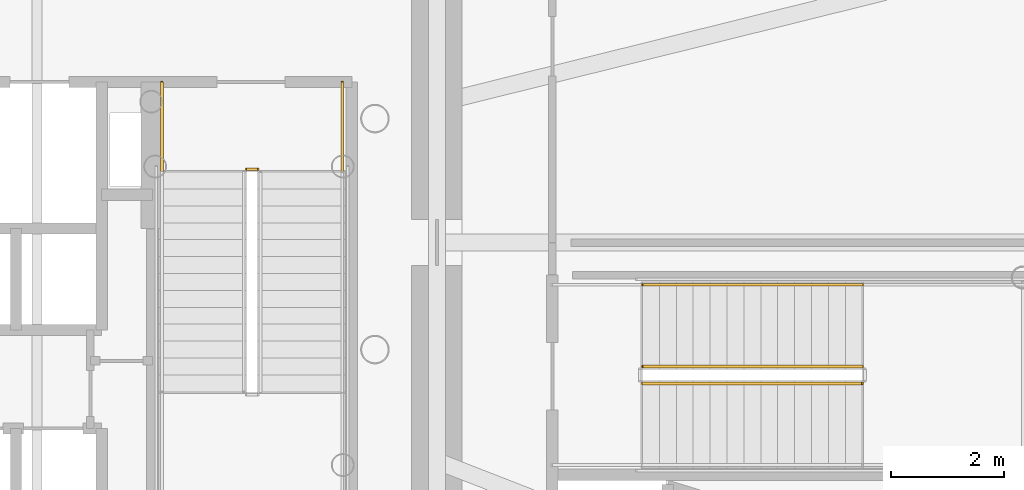
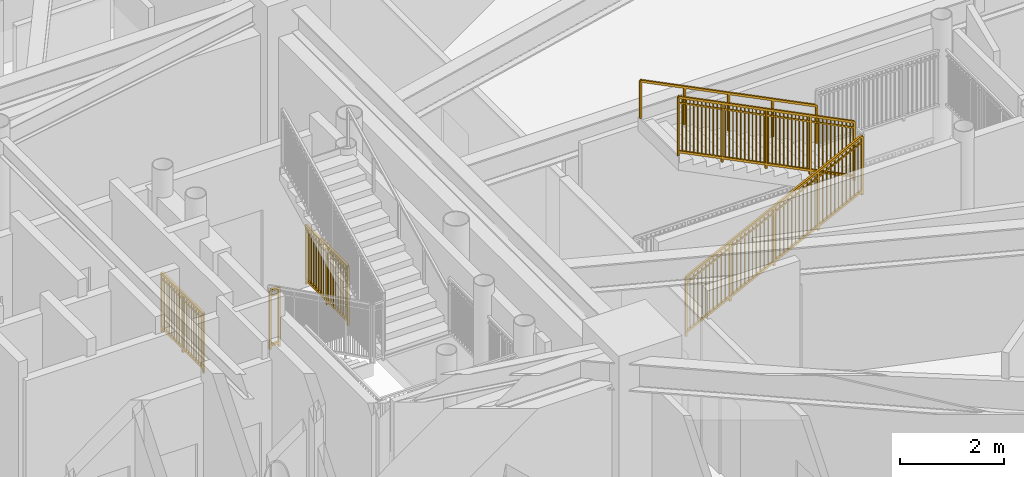
# One storey, part 33 of 35: 6 railings.
"""IFC4 building model written with IfcOpenShell, lengths in metres."""

from ifc_helpers import new_model, si_unit, direction, frame, origin, origin_2d, place, context, subcontext, project, spatial, rectangle, extrude, source, transform, mapped, material, type_object, element, save


model = new_model("IFC4")

# Units and contexts
model_context = context("Model", 3, precision=1e-05, world=origin(), true_north=direction((0.0, 1.0)))
body_context = subcontext(model_context, "Body", "Model", "MODEL_VIEW")
ifc_project = project(units=[si_unit("LENGTHUNIT", "METRE"), si_unit("AREAUNIT", "SQUARE_METRE"), si_unit("VOLUMEUNIT", "CUBIC_METRE"), si_unit("PLANEANGLEUNIT", "RADIAN"), si_unit("MASSUNIT", "GRAM", prefix="KILO")], contexts=[model_context])

# Site, building, storey
site_placement = place(None, origin())
site = spatial("IfcSite", under=ifc_project, at=site_placement, CompositionType="ELEMENT")
building_placement = place(site_placement, origin())
building = spatial("IfcBuilding", under=site, at=building_placement, Name="Linh Dai School and Residence Tower", CompositionType="ELEMENT")
storey_placement = place(building_placement, frame((0.0, 0.0, 49.199951171875)))
storey = spatial("IfcBuildingStorey", under=building, at=storey_placement, Name="L11", CompositionType="ELEMENT", Elevation=49.199951171875)

# Railings
ifc_material_1 = material(Name="Structural Steel S355JR", Category="steel")
railing_type_1 = type_object("IfcRailingType", Name="RL-ST-GUARD-1400", PredefinedType="GUARDRAIL", material=ifc_material_1)
shared_shape_1 = source(origin(), body_context, "Body", "SweptSolid", [
    extrude(rectangle(XDim=0.048095703125, YDim=0.048095703125, at=origin_2d()), frame((0.0, 0.0, 1.3759765625), z_axis=(1.0, 0.0, 0.0), x_axis=(0.0, 1.0, 0.0)), (0.0, 0.0, 1.0), 0.199951171875),
    extrude(rectangle(XDim=0.048095703125, YDim=0.048095703125, at=origin_2d()), frame((0.0, 0.0, 0.10009765625), z_axis=(1.0, 0.0, 0.0), x_axis=(0.0, 1.0, 0.0)), (0.0, 0.0, 1.0), 0.199951171875),
    extrude(rectangle(XDim=0.030029296875, YDim=0.030029296875, at=origin_2d()), frame((0.0, 0.0, 1.239990234375), z_axis=(1.0, 0.0, 0.0), x_axis=(0.0, 1.0, 0.0)), (0.0, 0.0, 1.0), 0.199951171875),
    extrude(rectangle(XDim=0.0419921875, YDim=0.0419921875, at=origin_2d()), origin(), (0.0, 0.0, 1.0), 1.3759765625),
    extrude(rectangle(XDim=0.0419921875, YDim=0.0419921875, at=origin_2d()), frame((0.199951171875, 0.0, 0.0)), (0.0, 0.0, 1.0), 1.3759765625),
])
railing_1_placement = place(storey_placement, frame((42.570068359375, 28.300048828125, 0.0)))
element("IfcRailing", 1, at=railing_1_placement, inside=storey, type_object=railing_type_1, Name="L11 ST2 stair guard 7", PredefinedType="GUARDRAIL", context=body_context, shape_type="MappedRepresentation", body=[
    mapped(shared_shape_1, transform((0.0, 0.0, 0.0), x_axis=(1.0, 0.0, 0.0), y_axis=(0.0, 1.0, 0.0), z_axis=(0.0, 0.0, 1.0), scale=1.0)),
])
shared_shape_2 = source(origin(), body_context, "Body", "SweptSolid", [
    extrude(rectangle(XDim=0.048095703125, YDim=0.048095703125, at=origin_2d()), frame((0.0, 0.0, 1.3759765625), z_axis=(0.0, -1.0, 0.0), x_axis=(1.0, 0.0, 0.0)), (0.0, 0.0, 1.0), 1.60009765625),
    extrude(rectangle(XDim=0.048095703125, YDim=0.048095703125, at=origin_2d()), frame((0.0, 0.0, 0.10009765625), z_axis=(0.0, -1.0, 0.0), x_axis=(1.0, 0.0, 0.0)), (0.0, 0.0, 1.0), 1.60009765625),
    extrude(rectangle(XDim=0.030029296875, YDim=0.030029296875, at=origin_2d()), frame((0.0, 0.0, 1.239990234375), z_axis=(0.0, -1.0, 0.0), x_axis=(1.0, 0.0, 0.0)), (0.0, 0.0, 1.0), 1.60009765625),
    extrude(rectangle(XDim=0.02001953125, YDim=0.02001953125, at=origin_2d()), frame((0.0, -0.09423828125, 0.10009765625)), (0.0, 0.0, 1.0), 1.251708984375),
    extrude(rectangle(XDim=0.02001953125, YDim=0.02001953125, at=origin_2d()), frame((0.0, -0.188232421875, 0.10009765625)), (0.0, 0.0, 1.0), 1.251708984375),
    extrude(rectangle(XDim=0.02001953125, YDim=0.02001953125, at=origin_2d()), frame((0.0, -0.282470703125, 0.10009765625)), (0.0, 0.0, 1.0), 1.251708984375),
    extrude(rectangle(XDim=0.02001953125, YDim=0.02001953125, at=origin_2d()), frame((0.0, -0.37646484375, 0.10009765625)), (0.0, 0.0, 1.0), 1.251708984375),
    extrude(rectangle(XDim=0.02001953125, YDim=0.02001953125, at=origin_2d()), frame((0.0, -0.470703125, 0.10009765625)), (0.0, 0.0, 1.0), 1.251708984375),
    extrude(rectangle(XDim=0.02001953125, YDim=0.02001953125, at=origin_2d()), frame((0.0, -0.564697265625, 0.10009765625)), (0.0, 0.0, 1.0), 1.251708984375),
    extrude(rectangle(XDim=0.02001953125, YDim=0.02001953125, at=origin_2d()), frame((0.0, -0.658935546875, 0.10009765625)), (0.0, 0.0, 1.0), 1.251708984375),
    extrude(rectangle(XDim=0.02001953125, YDim=0.02001953125, at=origin_2d()), frame((0.0, -0.7529296875, 0.10009765625)), (0.0, 0.0, 1.0), 1.251708984375),
    extrude(rectangle(XDim=0.02001953125, YDim=0.02001953125, at=origin_2d()), frame((0.0, -0.84716796875, 0.10009765625)), (0.0, 0.0, 1.0), 1.251708984375),
    extrude(rectangle(XDim=0.02001953125, YDim=0.02001953125, at=origin_2d()), frame((0.0, -0.941162109375, 0.10009765625)), (0.0, 0.0, 1.0), 1.251708984375),
    extrude(rectangle(XDim=0.02001953125, YDim=0.02001953125, at=origin_2d()), frame((0.0, -1.035400390625, 0.10009765625)), (0.0, 0.0, 1.0), 1.251708984375),
    extrude(rectangle(XDim=0.02001953125, YDim=0.02001953125, at=origin_2d()), frame((0.0, -1.12939453125, 0.10009765625)), (0.0, 0.0, 1.0), 1.251708984375),
    extrude(rectangle(XDim=0.02001953125, YDim=0.02001953125, at=origin_2d()), frame((0.0, -1.2236328125, 0.10009765625)), (0.0, 0.0, 1.0), 1.251708984375),
    extrude(rectangle(XDim=0.02001953125, YDim=0.02001953125, at=origin_2d()), frame((0.0, -1.317626953125, 0.10009765625)), (0.0, 0.0, 1.0), 1.251708984375),
    extrude(rectangle(XDim=0.02001953125, YDim=0.02001953125, at=origin_2d()), frame((0.0, -1.411865234375, 0.10009765625)), (0.0, 0.0, 1.0), 1.251708984375),
    extrude(rectangle(XDim=0.02001953125, YDim=0.02001953125, at=origin_2d()), frame((0.0, -1.505859375, 0.10009765625)), (0.0, 0.0, 1.0), 1.251708984375),
    extrude(rectangle(XDim=0.0419921875, YDim=0.0419921875, at=origin_2d()), origin(), (0.0, 0.0, 1.0), 1.3759765625),
    extrude(rectangle(XDim=0.0419921875, YDim=0.0419921875, at=origin_2d()), frame((0.0, -0.800048828125, 0.0)), (0.0, 0.0, 1.0), 1.3759765625),
    extrude(rectangle(XDim=0.0419921875, YDim=0.0419921875, at=origin_2d()), frame((0.0, -1.60009765625, 0.0)), (0.0, 0.0, 1.0), 1.3759765625),
])
for number, where, name in (
    (2, (41.070068359375, 29.85009765625, 0.0), "L11 ST2 stair guard 8"),
    (3, (44.27001953125, 29.85009765625, 0.0), "L11 ST2 stair guard 9"),
):
    element("IfcRailing", number, at=place(storey_placement, frame(where)), inside=storey, type_object=railing_type_1, Name=name, PredefinedType="GUARDRAIL", context=body_context, shape_type="MappedRepresentation", body=[
        mapped(shared_shape_2, transform((0.0, 0.0, 0.0), x_axis=(1.0, 0.0, 0.0), y_axis=(0.0, 1.0, 0.0), z_axis=(0.0, 0.0, 1.0), scale=1.0)),
    ])
shared_shape_3 = source(origin(), body_context, "Body", "SweptSolid", [
    extrude(rectangle(XDim=0.048095703125, YDim=0.048095703125, at=origin_2d()), frame((0.0, 0.0, 1.3759765625), z_axis=(0.894427191, 0.0, 0.4472135955), x_axis=(0.0, 1.0, 0.0)), (0.0, 0.0, 1.0), 4.360107421875),
    extrude(rectangle(XDim=0.048095703125, YDim=0.048095703125, at=origin_2d()), frame((0.0, 0.0, 0.10009765625), z_axis=(0.894427191, 0.0, 0.4472135955), x_axis=(0.0, 1.0, 0.0)), (0.0, 0.0, 1.0), 4.360107421875),
    extrude(rectangle(XDim=0.030029296875, YDim=0.030029296875, at=origin_2d()), frame((0.0, 0.0, 1.239990234375), z_axis=(0.894427191, 0.0, 0.4472135955), x_axis=(0.0, 1.0, 0.0)), (0.0, 0.0, 1.0), 4.360107421875),
    extrude(rectangle(XDim=0.02001953125, YDim=0.02001953125, at=origin_2d()), frame((0.086669921875, 0.0, 0.143310546875)), (0.0, 0.0, 1.0), 1.251708984375),
    extrude(rectangle(XDim=0.02001953125, YDim=0.02001953125, at=origin_2d()), frame((0.17333984375, 0.0, 0.186767578125)), (0.0, 0.0, 1.0), 1.251708984375),
    extrude(rectangle(XDim=0.02001953125, YDim=0.02001953125, at=origin_2d()), frame((0.260009765625, 0.0, 0.22998046875)), (0.0, 0.0, 1.0), 1.251708984375),
    extrude(rectangle(XDim=0.02001953125, YDim=0.02001953125, at=origin_2d()), frame((0.3466796875, 0.0, 0.2734375)), (0.0, 0.0, 1.0), 1.251708984375),
    extrude(rectangle(XDim=0.02001953125, YDim=0.02001953125, at=origin_2d()), frame((0.433349609375, 0.0, 0.316650390625)), (0.0, 0.0, 1.0), 1.251708984375),
    extrude(rectangle(XDim=0.02001953125, YDim=0.02001953125, at=origin_2d()), frame((0.52001953125, 0.0, 0.360107421875)), (0.0, 0.0, 1.0), 1.251708984375),
    extrude(rectangle(XDim=0.02001953125, YDim=0.02001953125, at=origin_2d()), frame((0.606689453125, 0.0, 0.4033203125)), (0.0, 0.0, 1.0), 1.251708984375),
    extrude(rectangle(XDim=0.02001953125, YDim=0.02001953125, at=origin_2d()), frame((0.693359375, 0.0, 0.44677734375)), (0.0, 0.0, 1.0), 1.251708984375),
    extrude(rectangle(XDim=0.02001953125, YDim=0.02001953125, at=origin_2d()), frame((0.780029296875, 0.0, 0.489990234375)), (0.0, 0.0, 1.0), 1.251708984375),
    extrude(rectangle(XDim=0.02001953125, YDim=0.02001953125, at=origin_2d()), frame((0.86669921875, 0.0, 0.533447265625)), (0.0, 0.0, 1.0), 1.251708984375),
    extrude(rectangle(XDim=0.02001953125, YDim=0.02001953125, at=origin_2d()), frame((1.0400390625, 0.0, 0.6201171875)), (0.0, 0.0, 1.0), 1.251708984375),
    extrude(rectangle(XDim=0.02001953125, YDim=0.02001953125, at=origin_2d()), frame((1.126708984375, 0.0, 0.663330078125)), (0.0, 0.0, 1.0), 1.251708984375),
    extrude(rectangle(XDim=0.02001953125, YDim=0.02001953125, at=origin_2d()), frame((1.21337890625, 0.0, 0.706787109375)), (0.0, 0.0, 1.0), 1.251708984375),
    extrude(rectangle(XDim=0.02001953125, YDim=0.02001953125, at=origin_2d()), frame((1.300048828125, 0.0, 0.75)), (0.0, 0.0, 1.0), 1.251708984375),
    extrude(rectangle(XDim=0.02001953125, YDim=0.02001953125, at=origin_2d()), frame((1.38671875, 0.0, 0.79345703125)), (0.0, 0.0, 1.0), 1.251708984375),
    extrude(rectangle(XDim=0.02001953125, YDim=0.02001953125, at=origin_2d()), frame((1.473388671875, 0.0, 0.836669921875)), (0.0, 0.0, 1.0), 1.251708984375),
    extrude(rectangle(XDim=0.02001953125, YDim=0.02001953125, at=origin_2d()), frame((1.56005859375, 0.0, 0.880126953125)), (0.0, 0.0, 1.0), 1.251708984375),
    extrude(rectangle(XDim=0.02001953125, YDim=0.02001953125, at=origin_2d()), frame((1.646728515625, 0.0, 0.92333984375)), (0.0, 0.0, 1.0), 1.251708984375),
    extrude(rectangle(XDim=0.02001953125, YDim=0.02001953125, at=origin_2d()), frame((1.7333984375, 0.0, 0.966796875)), (0.0, 0.0, 1.0), 1.251708984375),
    extrude(rectangle(XDim=0.02001953125, YDim=0.02001953125, at=origin_2d()), frame((1.820068359375, 0.0, 1.010009765625)), (0.0, 0.0, 1.0), 1.251708984375),
    extrude(rectangle(XDim=0.02001953125, YDim=0.02001953125, at=origin_2d()), frame((1.90673828125, 0.0, 1.053466796875)), (0.0, 0.0, 1.0), 1.251708984375),
    extrude(rectangle(XDim=0.02001953125, YDim=0.02001953125, at=origin_2d()), frame((1.9931640625, 0.0, 1.0966796875)), (0.0, 0.0, 1.0), 1.251708984375),
    extrude(rectangle(XDim=0.02001953125, YDim=0.02001953125, at=origin_2d()), frame((2.079833984375, 0.0, 1.14013671875)), (0.0, 0.0, 1.0), 1.251708984375),
    extrude(rectangle(XDim=0.02001953125, YDim=0.02001953125, at=origin_2d()), frame((2.16650390625, 0.0, 1.183349609375)), (0.0, 0.0, 1.0), 1.251708984375),
    extrude(rectangle(XDim=0.02001953125, YDim=0.02001953125, at=origin_2d()), frame((2.253173828125, 0.0, 1.226806640625)), (0.0, 0.0, 1.0), 1.251708984375),
    extrude(rectangle(XDim=0.02001953125, YDim=0.02001953125, at=origin_2d()), frame((2.33984375, 0.0, 1.27001953125)), (0.0, 0.0, 1.0), 1.251708984375),
    extrude(rectangle(XDim=0.02001953125, YDim=0.02001953125, at=origin_2d()), frame((2.426513671875, 0.0, 1.3134765625)), (0.0, 0.0, 1.0), 1.251708984375),
    extrude(rectangle(XDim=0.02001953125, YDim=0.02001953125, at=origin_2d()), frame((2.51318359375, 0.0, 1.356689453125)), (0.0, 0.0, 1.0), 1.251708984375),
    extrude(rectangle(XDim=0.02001953125, YDim=0.02001953125, at=origin_2d()), frame((2.599853515625, 0.0, 1.400146484375)), (0.0, 0.0, 1.0), 1.251708984375),
    extrude(rectangle(XDim=0.02001953125, YDim=0.02001953125, at=origin_2d()), frame((2.6865234375, 0.0, 1.443359375)), (0.0, 0.0, 1.0), 1.251708984375),
    extrude(rectangle(XDim=0.02001953125, YDim=0.02001953125, at=origin_2d()), frame((2.773193359375, 0.0, 1.48681640625)), (0.0, 0.0, 1.0), 1.251708984375),
    extrude(rectangle(XDim=0.02001953125, YDim=0.02001953125, at=origin_2d()), frame((2.85986328125, 0.0, 1.530029296875)), (0.0, 0.0, 1.0), 1.251708984375),
    extrude(rectangle(XDim=0.02001953125, YDim=0.02001953125, at=origin_2d()), frame((3.033203125, 0.0, 1.61669921875)), (0.0, 0.0, 1.0), 1.251708984375),
    extrude(rectangle(XDim=0.02001953125, YDim=0.02001953125, at=origin_2d()), frame((3.119873046875, 0.0, 1.66015625)), (0.0, 0.0, 1.0), 1.251708984375),
    extrude(rectangle(XDim=0.02001953125, YDim=0.02001953125, at=origin_2d()), frame((3.20654296875, 0.0, 1.703369140625)), (0.0, 0.0, 1.0), 1.251708984375),
    extrude(rectangle(XDim=0.02001953125, YDim=0.02001953125, at=origin_2d()), frame((3.293212890625, 0.0, 1.746826171875)), (0.0, 0.0, 1.0), 1.251708984375),
    extrude(rectangle(XDim=0.02001953125, YDim=0.02001953125, at=origin_2d()), frame((3.3798828125, 0.0, 1.7900390625)), (0.0, 0.0, 1.0), 1.251708984375),
    extrude(rectangle(XDim=0.02001953125, YDim=0.02001953125, at=origin_2d()), frame((3.466552734375, 0.0, 1.83349609375)), (0.0, 0.0, 1.0), 1.251708984375),
    extrude(rectangle(XDim=0.02001953125, YDim=0.02001953125, at=origin_2d()), frame((3.55322265625, 0.0, 1.876708984375)), (0.0, 0.0, 1.0), 1.251708984375),
    extrude(rectangle(XDim=0.02001953125, YDim=0.02001953125, at=origin_2d()), frame((3.639892578125, 0.0, 1.920166015625)), (0.0, 0.0, 1.0), 1.251708984375),
    extrude(rectangle(XDim=0.02001953125, YDim=0.02001953125, at=origin_2d()), frame((3.7265625, 0.0, 1.96337890625)), (0.0, 0.0, 1.0), 1.251708984375),
    extrude(rectangle(XDim=0.02001953125, YDim=0.02001953125, at=origin_2d()), frame((3.813232421875, 0.0, 2.0068359375)), (0.0, 0.0, 1.0), 1.251708984375),
    extrude(rectangle(XDim=0.0419921875, YDim=0.0419921875, at=origin_2d()), origin(), (0.0, 0.0, 1.0), 1.3759765625),
    extrude(rectangle(XDim=0.0419921875, YDim=0.0419921875, at=origin_2d()), frame((0.97509765625, 0.0, 0.487548828125)), (0.0, 0.0, 1.0), 1.3759765625),
    extrude(rectangle(XDim=0.0419921875, YDim=0.0419921875, at=origin_2d()), frame((1.949951171875, 0.0, 0.97509765625)), (0.0, 0.0, 1.0), 1.3759765625),
    extrude(rectangle(XDim=0.0419921875, YDim=0.0419921875, at=origin_2d()), frame((2.9248046875, 0.0, 1.46240234375)), (0.0, 0.0, 1.0), 1.3759765625),
    extrude(rectangle(XDim=0.0419921875, YDim=0.0419921875, at=origin_2d()), frame((3.89990234375, 0.0, 1.949951171875)), (0.0, 0.0, 1.0), 1.3759765625),
])
railing_2_placement = place(storey_placement, frame((49.60009765625, 24.5, 0.150146484375)))
element("IfcRailing", 4, at=railing_2_placement, inside=storey, type_object=railing_type_1, Name="L11 STS2 stair guard 1", PredefinedType="GUARDRAIL", context=body_context, shape_type="MappedRepresentation", body=[
    mapped(shared_shape_3, transform((0.0, 0.0, 0.0), x_axis=(1.0, 0.0, 0.0), y_axis=(0.0, 1.0, 0.0), z_axis=(0.0, 0.0, 1.0), scale=1.0)),
])
shared_shape_4 = source(origin(), body_context, "Body", "SweptSolid", [
    extrude(rectangle(XDim=0.048095703125, YDim=0.048095703125, at=origin_2d()), frame((0.0, 0.0, 1.3759765625), z_axis=(-0.894427191, 0.0, 0.4472135955), x_axis=(0.0, -1.0, 0.0)), (0.0, 0.0, 1.0), 4.360107421875),
    extrude(rectangle(XDim=0.048095703125, YDim=0.048095703125, at=origin_2d()), frame((0.0, 0.0, 0.10009765625), z_axis=(-0.894427191, 0.0, 0.4472135955), x_axis=(0.0, -1.0, 0.0)), (0.0, 0.0, 1.0), 4.360107421875),
    extrude(rectangle(XDim=0.030029296875, YDim=0.030029296875, at=origin_2d()), frame((0.0, 0.0, 1.239990234375), z_axis=(-0.894427191, 0.0, 0.4472135955), x_axis=(0.0, -1.0, 0.0)), (0.0, 0.0, 1.0), 4.360107421875),
    extrude(rectangle(XDim=0.02001953125, YDim=0.02001953125, at=origin_2d()), frame((-0.086669921875, 0.0, 0.143310546875)), (0.0, 0.0, 1.0), 1.251708984375),
    extrude(rectangle(XDim=0.02001953125, YDim=0.02001953125, at=origin_2d()), frame((-0.17333984375, 0.0, 0.186767578125)), (0.0, 0.0, 1.0), 1.251708984375),
    extrude(rectangle(XDim=0.02001953125, YDim=0.02001953125, at=origin_2d()), frame((-0.260009765625, 0.0, 0.22998046875)), (0.0, 0.0, 1.0), 1.251708984375),
    extrude(rectangle(XDim=0.02001953125, YDim=0.02001953125, at=origin_2d()), frame((-0.3466796875, 0.0, 0.2734375)), (0.0, 0.0, 1.0), 1.251708984375),
    extrude(rectangle(XDim=0.02001953125, YDim=0.02001953125, at=origin_2d()), frame((-0.433349609375, 0.0, 0.316650390625)), (0.0, 0.0, 1.0), 1.251708984375),
    extrude(rectangle(XDim=0.02001953125, YDim=0.02001953125, at=origin_2d()), frame((-0.52001953125, 0.0, 0.360107421875)), (0.0, 0.0, 1.0), 1.251708984375),
    extrude(rectangle(XDim=0.02001953125, YDim=0.02001953125, at=origin_2d()), frame((-0.606689453125, 0.0, 0.4033203125)), (0.0, 0.0, 1.0), 1.251708984375),
    extrude(rectangle(XDim=0.02001953125, YDim=0.02001953125, at=origin_2d()), frame((-0.693359375, 0.0, 0.44677734375)), (0.0, 0.0, 1.0), 1.251708984375),
    extrude(rectangle(XDim=0.02001953125, YDim=0.02001953125, at=origin_2d()), frame((-0.780029296875, 0.0, 0.489990234375)), (0.0, 0.0, 1.0), 1.251708984375),
    extrude(rectangle(XDim=0.02001953125, YDim=0.02001953125, at=origin_2d()), frame((-0.86669921875, 0.0, 0.533447265625)), (0.0, 0.0, 1.0), 1.251708984375),
    extrude(rectangle(XDim=0.02001953125, YDim=0.02001953125, at=origin_2d()), frame((-1.0400390625, 0.0, 0.6201171875)), (0.0, 0.0, 1.0), 1.251708984375),
    extrude(rectangle(XDim=0.02001953125, YDim=0.02001953125, at=origin_2d()), frame((-1.126708984375, 0.0, 0.663330078125)), (0.0, 0.0, 1.0), 1.251708984375),
    extrude(rectangle(XDim=0.02001953125, YDim=0.02001953125, at=origin_2d()), frame((-1.21337890625, 0.0, 0.706787109375)), (0.0, 0.0, 1.0), 1.251708984375),
    extrude(rectangle(XDim=0.02001953125, YDim=0.02001953125, at=origin_2d()), frame((-1.300048828125, 0.0, 0.75)), (0.0, 0.0, 1.0), 1.251708984375),
    extrude(rectangle(XDim=0.02001953125, YDim=0.02001953125, at=origin_2d()), frame((-1.38671875, 0.0, 0.79345703125)), (0.0, 0.0, 1.0), 1.251708984375),
    extrude(rectangle(XDim=0.02001953125, YDim=0.02001953125, at=origin_2d()), frame((-1.473388671875, 0.0, 0.836669921875)), (0.0, 0.0, 1.0), 1.251708984375),
    extrude(rectangle(XDim=0.02001953125, YDim=0.02001953125, at=origin_2d()), frame((-1.56005859375, 0.0, 0.880126953125)), (0.0, 0.0, 1.0), 1.251708984375),
    extrude(rectangle(XDim=0.02001953125, YDim=0.02001953125, at=origin_2d()), frame((-1.646728515625, 0.0, 0.92333984375)), (0.0, 0.0, 1.0), 1.251708984375),
    extrude(rectangle(XDim=0.02001953125, YDim=0.02001953125, at=origin_2d()), frame((-1.7333984375, 0.0, 0.966796875)), (0.0, 0.0, 1.0), 1.251708984375),
    extrude(rectangle(XDim=0.02001953125, YDim=0.02001953125, at=origin_2d()), frame((-1.820068359375, 0.0, 1.010009765625)), (0.0, 0.0, 1.0), 1.251708984375),
    extrude(rectangle(XDim=0.02001953125, YDim=0.02001953125, at=origin_2d()), frame((-1.90673828125, 0.0, 1.053466796875)), (0.0, 0.0, 1.0), 1.251708984375),
    extrude(rectangle(XDim=0.02001953125, YDim=0.02001953125, at=origin_2d()), frame((-1.9931640625, 0.0, 1.0966796875)), (0.0, 0.0, 1.0), 1.251708984375),
    extrude(rectangle(XDim=0.02001953125, YDim=0.02001953125, at=origin_2d()), frame((-2.079833984375, 0.0, 1.14013671875)), (0.0, 0.0, 1.0), 1.251708984375),
    extrude(rectangle(XDim=0.02001953125, YDim=0.02001953125, at=origin_2d()), frame((-2.16650390625, 0.0, 1.183349609375)), (0.0, 0.0, 1.0), 1.251708984375),
    extrude(rectangle(XDim=0.02001953125, YDim=0.02001953125, at=origin_2d()), frame((-2.253173828125, 0.0, 1.226806640625)), (0.0, 0.0, 1.0), 1.251708984375),
    extrude(rectangle(XDim=0.02001953125, YDim=0.02001953125, at=origin_2d()), frame((-2.33984375, 0.0, 1.27001953125)), (0.0, 0.0, 1.0), 1.251708984375),
    extrude(rectangle(XDim=0.02001953125, YDim=0.02001953125, at=origin_2d()), frame((-2.426513671875, 0.0, 1.3134765625)), (0.0, 0.0, 1.0), 1.251708984375),
    extrude(rectangle(XDim=0.02001953125, YDim=0.02001953125, at=origin_2d()), frame((-2.51318359375, 0.0, 1.356689453125)), (0.0, 0.0, 1.0), 1.251708984375),
    extrude(rectangle(XDim=0.02001953125, YDim=0.02001953125, at=origin_2d()), frame((-2.599853515625, 0.0, 1.400146484375)), (0.0, 0.0, 1.0), 1.251708984375),
    extrude(rectangle(XDim=0.02001953125, YDim=0.02001953125, at=origin_2d()), frame((-2.6865234375, 0.0, 1.443359375)), (0.0, 0.0, 1.0), 1.251708984375),
    extrude(rectangle(XDim=0.02001953125, YDim=0.02001953125, at=origin_2d()), frame((-2.773193359375, 0.0, 1.48681640625)), (0.0, 0.0, 1.0), 1.251708984375),
    extrude(rectangle(XDim=0.02001953125, YDim=0.02001953125, at=origin_2d()), frame((-2.85986328125, 0.0, 1.530029296875)), (0.0, 0.0, 1.0), 1.251708984375),
    extrude(rectangle(XDim=0.02001953125, YDim=0.02001953125, at=origin_2d()), frame((-3.033203125, 0.0, 1.61669921875)), (0.0, 0.0, 1.0), 1.251708984375),
    extrude(rectangle(XDim=0.02001953125, YDim=0.02001953125, at=origin_2d()), frame((-3.119873046875, 0.0, 1.66015625)), (0.0, 0.0, 1.0), 1.251708984375),
    extrude(rectangle(XDim=0.02001953125, YDim=0.02001953125, at=origin_2d()), frame((-3.20654296875, 0.0, 1.703369140625)), (0.0, 0.0, 1.0), 1.251708984375),
    extrude(rectangle(XDim=0.02001953125, YDim=0.02001953125, at=origin_2d()), frame((-3.293212890625, 0.0, 1.746826171875)), (0.0, 0.0, 1.0), 1.251708984375),
    extrude(rectangle(XDim=0.02001953125, YDim=0.02001953125, at=origin_2d()), frame((-3.3798828125, 0.0, 1.7900390625)), (0.0, 0.0, 1.0), 1.251708984375),
    extrude(rectangle(XDim=0.02001953125, YDim=0.02001953125, at=origin_2d()), frame((-3.466552734375, 0.0, 1.83349609375)), (0.0, 0.0, 1.0), 1.251708984375),
    extrude(rectangle(XDim=0.02001953125, YDim=0.02001953125, at=origin_2d()), frame((-3.55322265625, 0.0, 1.876708984375)), (0.0, 0.0, 1.0), 1.251708984375),
    extrude(rectangle(XDim=0.02001953125, YDim=0.02001953125, at=origin_2d()), frame((-3.639892578125, 0.0, 1.920166015625)), (0.0, 0.0, 1.0), 1.251708984375),
    extrude(rectangle(XDim=0.02001953125, YDim=0.02001953125, at=origin_2d()), frame((-3.7265625, 0.0, 1.96337890625)), (0.0, 0.0, 1.0), 1.251708984375),
    extrude(rectangle(XDim=0.02001953125, YDim=0.02001953125, at=origin_2d()), frame((-3.813232421875, 0.0, 2.0068359375)), (0.0, 0.0, 1.0), 1.251708984375),
    extrude(rectangle(XDim=0.0419921875, YDim=0.0419921875, at=origin_2d()), origin(), (0.0, 0.0, 1.0), 1.3759765625),
    extrude(rectangle(XDim=0.0419921875, YDim=0.0419921875, at=origin_2d()), frame((-0.97509765625, 0.0, 0.487548828125)), (0.0, 0.0, 1.0), 1.3759765625),
    extrude(rectangle(XDim=0.0419921875, YDim=0.0419921875, at=origin_2d()), frame((-1.949951171875, 0.0, 0.97509765625)), (0.0, 0.0, 1.0), 1.3759765625),
    extrude(rectangle(XDim=0.0419921875, YDim=0.0419921875, at=origin_2d()), frame((-2.9248046875, 0.0, 1.46240234375)), (0.0, 0.0, 1.0), 1.3759765625),
    extrude(rectangle(XDim=0.0419921875, YDim=0.0419921875, at=origin_2d()), frame((-3.89990234375, 0.0, 1.949951171875)), (0.0, 0.0, 1.0), 1.3759765625),
])
railing_3_placement = place(storey_placement, frame((53.5, 24.800048828125, 2.25)))
element("IfcRailing", 5, at=railing_3_placement, inside=storey, type_object=railing_type_1, Name="L11 STS2 stair guard 6", PredefinedType="GUARDRAIL", context=body_context, shape_type="MappedRepresentation", body=[
    mapped(shared_shape_4, transform((0.0, 0.0, 0.0), x_axis=(1.0, 0.0, 0.0), y_axis=(0.0, 1.0, 0.0), z_axis=(0.0, 0.0, 1.0), scale=1.0)),
])
ifc_material_2 = material(Name="Brushed Stainless Steel Handrail", Category="steel")
railing_type_2 = type_object("IfcRailingType", Name="RL-ST-HANDRAIL-900", PredefinedType="HANDRAIL", material=ifc_material_2)
shared_shape_5 = source(origin(), body_context, "Body", "SweptSolid", [
    extrude(rectangle(XDim=0.048095703125, YDim=0.048095703125, at=origin_2d()), frame((0.0, 0.0, 0.8759765625), z_axis=(-0.894427191, 0.0, 0.4472135955), x_axis=(0.0, -1.0, 0.0)), (0.0, 0.0, 1.0), 4.360107421875),
    extrude(rectangle(XDim=0.0419921875, YDim=0.0419921875, at=origin_2d()), origin(), (0.0, 0.0, 1.0), 0.8759765625),
    extrude(rectangle(XDim=0.0419921875, YDim=0.0419921875, at=origin_2d()), frame((-0.97509765625, 0.0, 0.487548828125)), (0.0, 0.0, 1.0), 0.8759765625),
    extrude(rectangle(XDim=0.0419921875, YDim=0.0419921875, at=origin_2d()), frame((-1.949951171875, 0.0, 0.97509765625)), (0.0, 0.0, 1.0), 0.8759765625),
    extrude(rectangle(XDim=0.0419921875, YDim=0.0419921875, at=origin_2d()), frame((-2.9248046875, 0.0, 1.46240234375)), (0.0, 0.0, 1.0), 0.8759765625),
    extrude(rectangle(XDim=0.0419921875, YDim=0.0419921875, at=origin_2d()), frame((-3.89990234375, 0.0, 1.949951171875)), (0.0, 0.0, 1.0), 0.8759765625),
])
railing_4_placement = place(storey_placement, frame((53.5, 26.25, 2.25)))
element("IfcRailing", 6, at=railing_4_placement, inside=storey, type_object=railing_type_2, Name="L11 STS2 stair handrail 2", PredefinedType="HANDRAIL", context=body_context, shape_type="MappedRepresentation", body=[
    mapped(shared_shape_5, transform((0.0, 0.0, 0.0), x_axis=(1.0, 0.0, 0.0), y_axis=(0.0, 1.0, 0.0), z_axis=(0.0, 0.0, 1.0), scale=1.0)),
])

save(model, "model.ifc")
